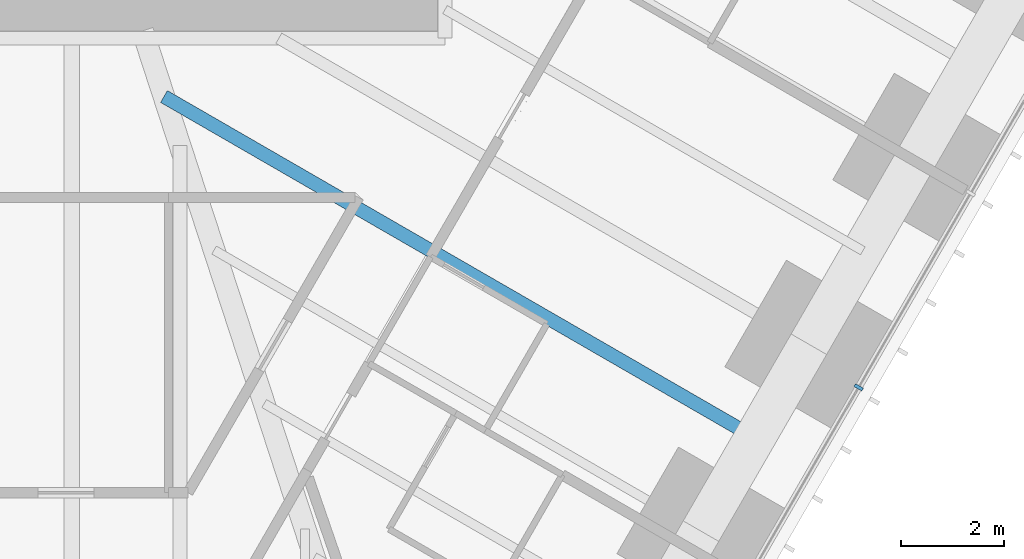
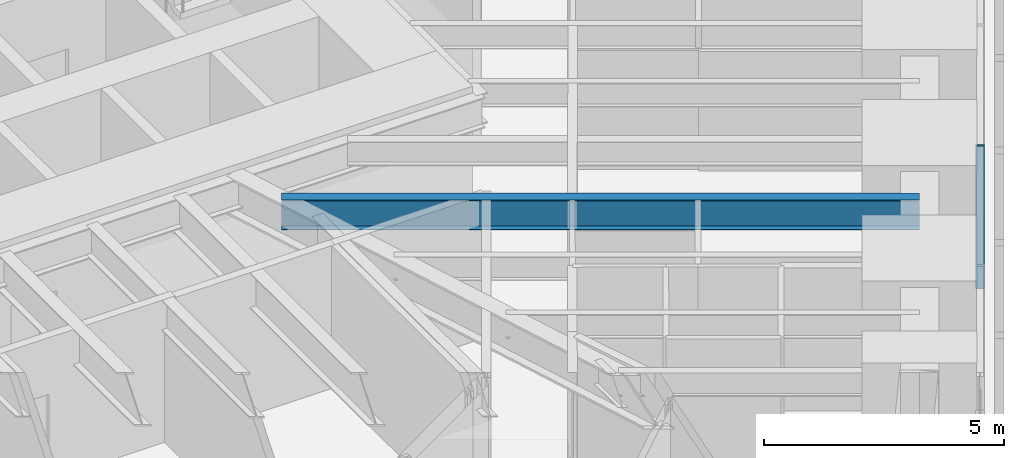
# One storey, part 97 of 256: 1 beam, 1 member, 1 element without a shape of its own.
"""IFC4 building model written with IfcOpenShell, lengths in metres."""

from ifc_helpers import new_model, si_unit, direction, frame, origin, origin_2d, place, context, subcontext, project, spatial, rectangle, i_section, extrude, material, material_profile, profile_set, type_object, element, aggregate, save


model = new_model("IFC4")

# Units and contexts
model_context = context("Model", 3, precision=1e-05, world=origin(), true_north=direction((0.0, 1.0)))
body_context = subcontext(model_context, "Body", "Model", "MODEL_VIEW")
ifc_project = project(units=[si_unit("LENGTHUNIT", "METRE"), si_unit("AREAUNIT", "SQUARE_METRE"), si_unit("VOLUMEUNIT", "CUBIC_METRE"), si_unit("PLANEANGLEUNIT", "RADIAN"), si_unit("MASSUNIT", "GRAM", prefix="KILO")], contexts=[model_context])

# Site, building, storey
site_placement = place(None, origin())
site = spatial("IfcSite", under=ifc_project, at=site_placement, CompositionType="ELEMENT")
building_placement = place(site_placement, origin())
building = spatial("IfcBuilding", under=site, at=building_placement, Name="Sandreach Pilgrim Tower", CompositionType="ELEMENT")
storey_placement = place(building_placement, frame((0.0, 0.0, 23.0)))
storey = spatial("IfcBuildingStorey", under=building, at=storey_placement, Name="L04", CompositionType="ELEMENT", Elevation=23.0)

# Curtain wall, member
ifc_material_1 = material(Name="Aluminium framed curtain wall", Category="aluminium")
curtain_wall_type = type_object("IfcCurtainWallType", Name="Hostel tower curtain wall", PredefinedType="NOTDEFINED", material=ifc_material_1)
curtain_wall_placement = place(storey_placement, origin())
curtain_wall = element("IfcCurtainWall", 1, at=curtain_wall_placement, inside=storey, type_object=curtain_wall_type, Name="CW-1 L04 SE", PredefinedType="NOTDEFINED")
ifc_material_2 = material(Name="Aluminium extrusion", Category="aluminium")
ifc_material_profile_1 = material_profile(ifc_material_2, rectangle(XDim=0.06494140625, YDim=0.179931640625, at=origin_2d()), Name="CW-1M 65X180")
ifc_profile_set_1 = profile_set([ifc_material_profile_1], Name="Aluminium extrusion")
member_type = type_object("IfcMemberType", Name="CW-1 mullion", PredefinedType="MULLION", material=ifc_profile_set_1)
member_placement = place(storey_placement, frame((17.46142578125, -17.6533203125, 0.0), z_axis=(0.0, 0.0, 1.0), x_axis=(-0.5, -0.866025403784, 0.0)))
member = element("IfcMember", 2, at=member_placement, type_object=member_type, Name="CW-1 mullion 7", PredefinedType="MULLION", context=body_context, shape_type="SweptSolid", body=[
    extrude(rectangle(XDim=0.06494140625, YDim=0.179931640625, at=origin_2d()), origin(), (0.0, 0.0, 1.0), 3.639892578125),
])
aggregate(curtain_wall, [member])

# Beam
ifc_material_3 = material(Name="Steel ASTM A992 Grade 50", Category="steel")
ifc_material_profile_2 = material_profile(ifc_material_3, i_section(OverallWidth=0.2666015625, OverallDepth=0.761962890625, WebThickness=0.014404296875, FlangeThickness=0.021484375, at=origin_2d()), Name="W30X116")
ifc_profile_set_2 = profile_set([ifc_material_profile_2], Name="Steel ASTM A992 Grade 50")
beam_type = type_object("IfcBeamType", Name="Floor beam W30X116", PredefinedType="BEAM", material=ifc_profile_set_2)
beam_placement = place(storey_placement, frame((15.43896484375, -18.63623046875, 3.259033203125), z_axis=(-0.866021271874, 0.50000715661, 0.0), x_axis=(-0.50000715661, -0.866021271874, 0.0)))
element("IfcBeam", 3, at=beam_placement, inside=storey, type_object=beam_type, Name="BM L04 FM19", PredefinedType="BEAM", context=body_context, shape_type="SweptSolid", body=[
    extrude(i_section(OverallWidth=0.2666015625, OverallDepth=0.761962890625, WebThickness=0.014404296875, FlangeThickness=0.021484375, at=origin_2d()), origin(), (0.0, 0.0, 1.0), 13.311767578125),
])

save(model, "model.ifc")
